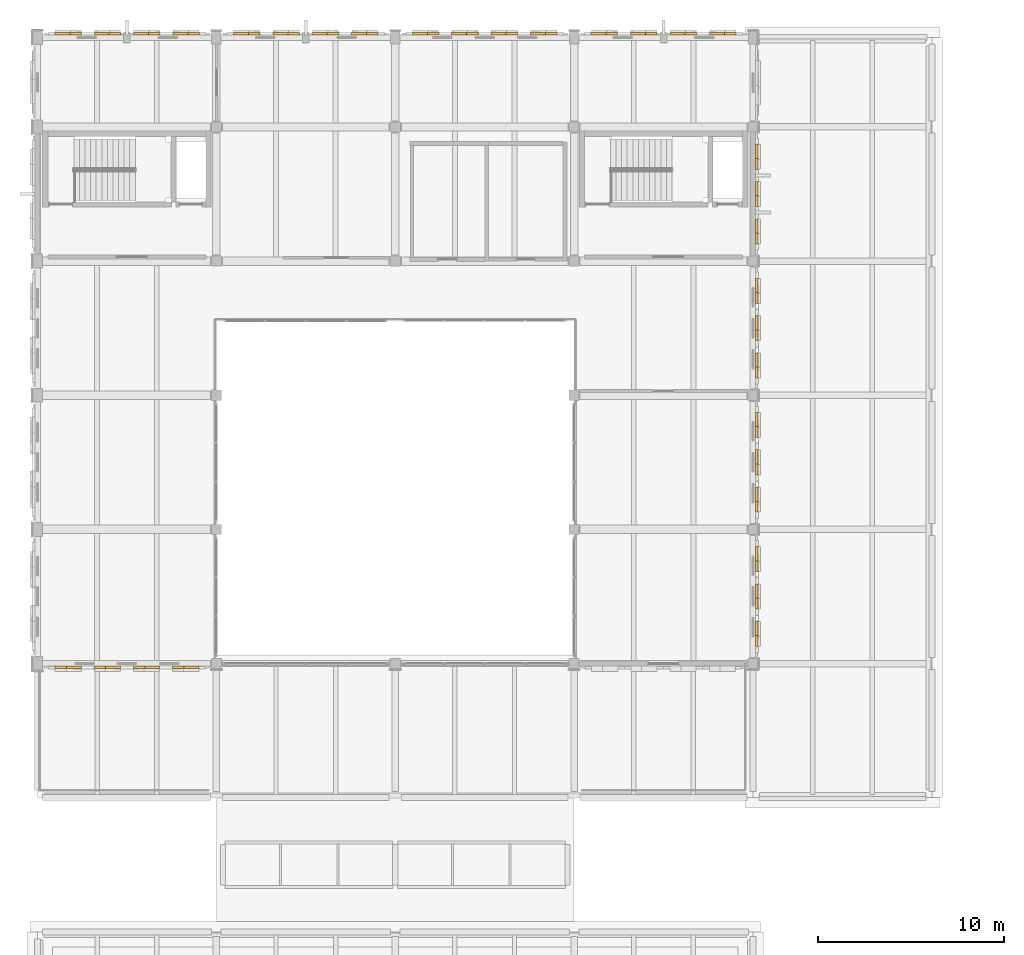
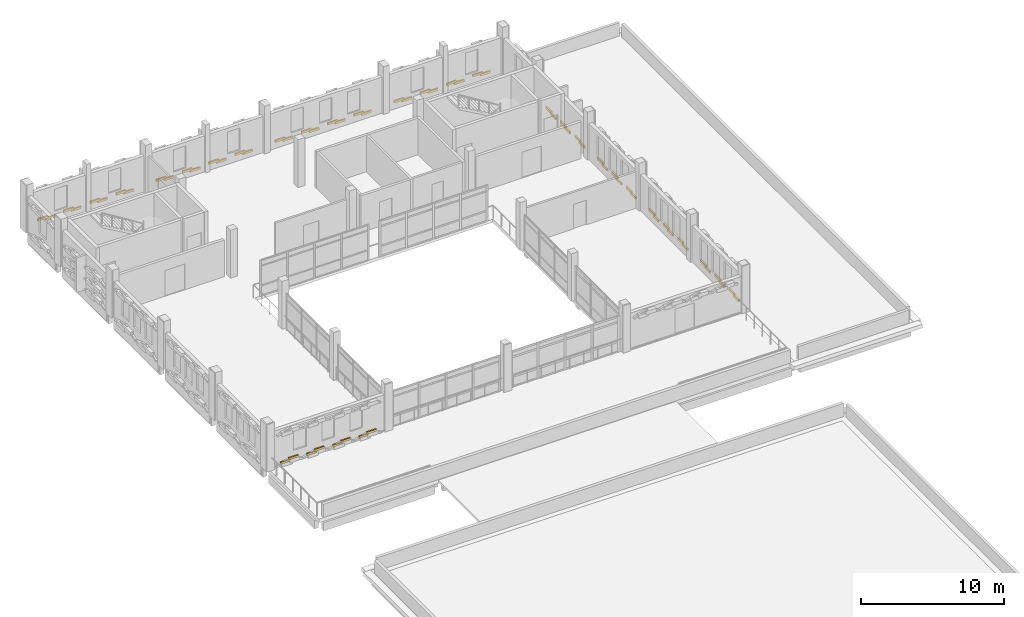
# One storey, part 49 of 50: 64 coverings.
"""IFC4 building model written with IfcOpenShell, lengths in metres."""

from ifc_helpers import new_model, si_unit, direction, frame, origin, origin_2d, place, context, subcontext, project, spatial, rectangle, extrude, material, layer, layer_set, type_object, element, save


model = new_model("IFC4")

# Units and contexts
model_context = context("Model", 3, precision=1e-05, world=origin(), true_north=direction((0.0, 1.0)))
body_context = subcontext(model_context, "Body", "Model", "MODEL_VIEW")
ifc_project = project(units=[si_unit("LENGTHUNIT", "METRE"), si_unit("AREAUNIT", "SQUARE_METRE"), si_unit("VOLUMEUNIT", "CUBIC_METRE"), si_unit("PLANEANGLEUNIT", "RADIAN"), si_unit("MASSUNIT", "GRAM", prefix="KILO")], contexts=[model_context])

# Site, building, storey
site_placement = place(None, origin())
site = spatial("IfcSite", under=ifc_project, at=site_placement, CompositionType="ELEMENT")
building_placement = place(site_placement, origin())
building = spatial("IfcBuilding", under=site, at=building_placement, Name="Asteropetra Specialist Clinic", CompositionType="ELEMENT")
storey_placement = place(building_placement, frame((0.0, 0.0, 16.659912109375)))
storey = spatial("IfcBuildingStorey", under=building, at=storey_placement, Name="L04", CompositionType="ELEMENT", Elevation=16.659912109375)

# Coverings
ifc_material = material(Name="Chevron ivory")
ifc_layer = layer(ifc_material, 0.1201171875)
ifc_layer_set = layer_set([ifc_layer], Name="Chevron ivory")
covering_type = type_object("IfcCoveringType", Name="CLD-TER-IVORY", PredefinedType="CLADDING", material=ifc_layer_set)
for number, where, z_axis, x_axis, name in (
    (1, (1.3369140625, 76.60009765625, 0.1201171875), (0.0, 0.0, 1.0), (1.0, 0.0, 0.0), "Chevron Ceramic Band CV-1570"),
    (2, (1.95556640625, 76.60009765625, 0.26025390625), (0.0, 0.0, 1.0), (1.0, 0.0, 0.0), "Chevron Ceramic Band CV-1571"),
    (3, (3.439453125, 76.60009765625, 0.1201171875), (0.0, 0.0, 1.0), (1.0, 0.0, 0.0), "Chevron Ceramic Band CV-1572"),
    (4, (4.05810546875, 76.60009765625, 0.26025390625), (0.0, 0.0, 1.0), (1.0, 0.0, 0.0), "Chevron Ceramic Band CV-1573"),
    (5, (5.5419921875, 76.60009765625, 0.1201171875), (0.0, 0.0, 1.0), (1.0, 0.0, 0.0), "Chevron Ceramic Band CV-1574"),
    (6, (6.16064453125, 76.60009765625, 0.26025390625), (0.0, 0.0, 1.0), (1.0, 0.0, 0.0), "Chevron Ceramic Band CV-1575"),
    (7, (7.644287109375, 76.60009765625, 0.1201171875), (0.0, 0.0, 1.0), (1.0, 0.0, 0.0), "Chevron Ceramic Band CV-1576"),
    (8, (8.26318359375, 76.60009765625, 0.26025390625), (0.0, 0.0, 1.0), (1.0, 0.0, 0.0), "Chevron Ceramic Band CV-1577"),
):
    element("IfcCovering", number, at=place(storey_placement, frame(where, z_axis=z_axis, x_axis=x_axis)), inside=storey, type_object=covering_type, Name=name, PredefinedType="CLADDING", context=body_context, shape_type="SweptSolid", body=[
        extrude(rectangle(XDim=0.799072265625, YDim=0.1201171875, at=origin_2d()), origin(), (0.0, 0.0, 1.0), 0.199951171875),
    ])
for number, where, z_axis, x_axis, name in (
    (9, (8.285888671875, 110.60009765625, 0.1201171875), (0.0, 0.0, 1.0), (1.0, 0.0, 0.0), "Chevron Ceramic Band CV-1581"),
    (10, (7.665283203125, 110.60009765625, 0.26025390625), (0.0, 0.0, 1.0), (1.0, 0.0, 0.0), "Chevron Ceramic Band CV-1582"),
    (11, (6.17724609375, 110.60009765625, 0.1201171875), (0.0, 0.0, 1.0), (1.0, 0.0, 0.0), "Chevron Ceramic Band CV-1583"),
    (12, (5.556640625, 110.60009765625, 0.26025390625), (0.0, 0.0, 1.0), (1.0, 0.0, 0.0), "Chevron Ceramic Band CV-1584"),
    (13, (4.068359375, 110.60009765625, 0.1201171875), (0.0, 0.0, 1.0), (1.0, 0.0, 0.0), "Chevron Ceramic Band CV-1585"),
    (14, (3.44775390625, 110.60009765625, 0.26025390625), (0.0, 0.0, 1.0), (1.0, 0.0, 0.0), "Chevron Ceramic Band CV-1586"),
    (15, (1.959716796875, 110.60009765625, 0.1201171875), (0.0, 0.0, 1.0), (1.0, 0.0, 0.0), "Chevron Ceramic Band CV-1587"),
    (16, (1.339111328125, 110.60009765625, 0.26025390625), (0.0, 0.0, 1.0), (1.0, 0.0, 0.0), "Chevron Ceramic Band CV-1588"),
):
    element("IfcCovering", number, at=place(storey_placement, frame(where, z_axis=z_axis, x_axis=x_axis)), inside=storey, type_object=covering_type, Name=name, PredefinedType="CLADDING", context=body_context, shape_type="SweptSolid", body=[
        extrude(rectangle(XDim=0.801025390625, YDim=0.1201171875, at=origin_2d()), origin(), (0.0, 0.0, 1.0), 0.199951171875),
    ])
for number, where, z_axis, x_axis, name in (
    (17, (17.8837890625, 110.60009765625, 0.1201171875), (0.0, 0.0, 1.0), (1.0, 0.0, 0.0), "Chevron Ceramic Band CV-1592"),
    (18, (17.26123046875, 110.60009765625, 0.26025390625), (0.0, 0.0, 1.0), (1.0, 0.0, 0.0), "Chevron Ceramic Band CV-1593"),
    (19, (15.768798828125, 110.60009765625, 0.1201171875), (0.0, 0.0, 1.0), (1.0, 0.0, 0.0), "Chevron Ceramic Band CV-1594"),
    (20, (15.146240234375, 110.60009765625, 0.26025390625), (0.0, 0.0, 1.0), (1.0, 0.0, 0.0), "Chevron Ceramic Band CV-1595"),
    (21, (13.65380859375, 110.60009765625, 0.1201171875), (0.0, 0.0, 1.0), (1.0, 0.0, 0.0), "Chevron Ceramic Band CV-1596"),
    (22, (13.03125, 110.60009765625, 0.26025390625), (0.0, 0.0, 1.0), (1.0, 0.0, 0.0), "Chevron Ceramic Band CV-1597"),
    (23, (11.538818359375, 110.60009765625, 0.1201171875), (0.0, 0.0, 1.0), (1.0, 0.0, 0.0), "Chevron Ceramic Band CV-1598"),
    (24, (10.916259765625, 110.60009765625, 0.26025390625), (0.0, 0.0, 1.0), (1.0, 0.0, 0.0), "Chevron Ceramic Band CV-1599"),
    (25, (27.48388671875, 110.60009765625, 0.1201171875), (0.0, 0.0, 1.0), (1.0, 0.0, 0.0), "Chevron Ceramic Band CV-1604"),
    (26, (26.861328125, 110.60009765625, 0.26025390625), (0.0, 0.0, 1.0), (1.0, 0.0, 0.0), "Chevron Ceramic Band CV-1605"),
    (27, (25.368896484375, 110.60009765625, 0.1201171875), (0.0, 0.0, 1.0), (1.0, 0.0, 0.0), "Chevron Ceramic Band CV-1606"),
    (28, (24.74609375, 110.60009765625, 0.26025390625), (0.0, 0.0, 1.0), (1.0, 0.0, 0.0), "Chevron Ceramic Band CV-1607"),
    (29, (23.25390625, 110.60009765625, 0.1201171875), (0.0, 0.0, 1.0), (1.0, 0.0, 0.0), "Chevron Ceramic Band CV-1608"),
    (30, (22.63134765625, 110.60009765625, 0.26025390625), (0.0, 0.0, 1.0), (1.0, 0.0, 0.0), "Chevron Ceramic Band CV-1609"),
    (31, (21.138916015625, 110.60009765625, 0.1201171875), (0.0, 0.0, 1.0), (1.0, 0.0, 0.0), "Chevron Ceramic Band CV-1610"),
    (32, (20.51611328125, 110.60009765625, 0.26025390625), (0.0, 0.0, 1.0), (1.0, 0.0, 0.0), "Chevron Ceramic Band CV-1611"),
    (33, (37.083740234375, 110.60009765625, 0.1201171875), (0.0, 0.0, 1.0), (1.0, 0.0, 0.0), "Chevron Ceramic Band CV-1616"),
    (34, (36.461181640625, 110.60009765625, 0.26025390625), (0.0, 0.0, 1.0), (1.0, 0.0, 0.0), "Chevron Ceramic Band CV-1617"),
    (35, (34.96875, 110.60009765625, 0.1201171875), (0.0, 0.0, 1.0), (1.0, 0.0, 0.0), "Chevron Ceramic Band CV-1618"),
    (36, (34.34619140625, 110.60009765625, 0.26025390625), (0.0, 0.0, 1.0), (1.0, 0.0, 0.0), "Chevron Ceramic Band CV-1619"),
    (37, (32.853759765625, 110.60009765625, 0.1201171875), (0.0, 0.0, 1.0), (1.0, 0.0, 0.0), "Chevron Ceramic Band CV-1620"),
    (38, (32.231201171875, 110.60009765625, 0.26025390625), (0.0, 0.0, 1.0), (1.0, 0.0, 0.0), "Chevron Ceramic Band CV-1621"),
    (39, (30.73876953125, 110.60009765625, 0.1201171875), (0.0, 0.0, 1.0), (1.0, 0.0, 0.0), "Chevron Ceramic Band CV-1622"),
    (40, (30.1162109375, 110.60009765625, 0.26025390625), (0.0, 0.0, 1.0), (1.0, 0.0, 0.0), "Chevron Ceramic Band CV-1623"),
):
    element("IfcCovering", number, at=place(storey_placement, frame(where, z_axis=z_axis, x_axis=x_axis)), inside=storey, type_object=covering_type, Name=name, PredefinedType="CLADDING", context=body_context, shape_type="SweptSolid", body=[
        extrude(rectangle(XDim=0.803955078125, YDim=0.1201171875, at=origin_2d()), origin(), (0.0, 0.0, 1.0), 0.199951171875),
    ])
for number, where, z_axis, x_axis, name in (
    (41, (38.60009765625, 78.102294921875, 0.1201171875), (0.0, 0.0, 1.0), (1.0, 0.0, 0.0), "Chevron Ceramic Band CV-1636"),
    (42, (38.60009765625, 78.691162109375, 0.26025390625), (0.0, 0.0, 1.0), (1.0, 0.0, 0.0), "Chevron Ceramic Band CV-1637"),
    (43, (38.60009765625, 80.10546875, 0.1201171875), (0.0, 0.0, 1.0), (1.0, 0.0, 0.0), "Chevron Ceramic Band CV-1638"),
    (44, (38.60009765625, 80.694580078125, 0.26025390625), (0.0, 0.0, 1.0), (1.0, 0.0, 0.0), "Chevron Ceramic Band CV-1639"),
    (45, (38.60009765625, 82.10888671875, 0.1201171875), (0.0, 0.0, 1.0), (1.0, 0.0, 0.0), "Chevron Ceramic Band CV-1640"),
    (46, (38.60009765625, 82.69775390625, 0.26025390625), (0.0, 0.0, 1.0), (1.0, 0.0, 0.0), "Chevron Ceramic Band CV-1641"),
    (47, (38.60009765625, 85.30224609375, 0.1201171875), (0.0, 0.0, 1.0), (1.0, 0.0, 0.0), "Chevron Ceramic Band CV-1654"),
    (48, (38.60009765625, 85.89111328125, 0.26025390625), (0.0, 0.0, 1.0), (1.0, 0.0, 0.0), "Chevron Ceramic Band CV-1655"),
    (49, (38.60009765625, 87.305419921875, 0.1201171875), (0.0, 0.0, 1.0), (1.0, 0.0, 0.0), "Chevron Ceramic Band CV-1656"),
    (50, (38.60009765625, 87.89453125, 0.26025390625), (0.0, 0.0, 1.0), (1.0, 0.0, 0.0), "Chevron Ceramic Band CV-1657"),
    (51, (38.60009765625, 89.308837890625, 0.1201171875), (0.0, 0.0, 1.0), (1.0, 0.0, 0.0), "Chevron Ceramic Band CV-1658"),
    (52, (38.60009765625, 89.897705078125, 0.26025390625), (0.0, 0.0, 1.0), (1.0, 0.0, 0.0), "Chevron Ceramic Band CV-1659"),
    (53, (38.60009765625, 92.502197265625, 0.1201171875), (0.0, 0.0, 1.0), (1.0, 0.0, 0.0), "Chevron Ceramic Band CV-1672"),
    (54, (38.60009765625, 93.09130859375, 0.26025390625), (0.0, 0.0, 1.0), (1.0, 0.0, 0.0), "Chevron Ceramic Band CV-1673"),
    (55, (38.60009765625, 94.505615234375, 0.1201171875), (0.0, 0.0, 1.0), (1.0, 0.0, 0.0), "Chevron Ceramic Band CV-1674"),
    (56, (38.60009765625, 95.094482421875, 0.26025390625), (0.0, 0.0, 1.0), (1.0, 0.0, 0.0), "Chevron Ceramic Band CV-1675"),
    (57, (38.60009765625, 96.5087890625, 0.1201171875), (0.0, 0.0, 1.0), (1.0, 0.0, 0.0), "Chevron Ceramic Band CV-1676"),
    (58, (38.60009765625, 97.097900390625, 0.26025390625), (0.0, 0.0, 1.0), (1.0, 0.0, 0.0), "Chevron Ceramic Band CV-1677"),
    (59, (38.60009765625, 99.7021484375, 0.1201171875), (0.0, 0.0, 1.0), (1.0, 0.0, 0.0), "Chevron Ceramic Band CV-1684"),
    (60, (38.60009765625, 100.291259765625, 0.26025390625), (0.0, 0.0, 1.0), (1.0, 0.0, 0.0), "Chevron Ceramic Band CV-1685"),
    (61, (38.60009765625, 101.70556640625, 0.1201171875), (0.0, 0.0, 1.0), (1.0, 0.0, 0.0), "Chevron Ceramic Band CV-1686"),
    (62, (38.60009765625, 102.29443359375, 0.26025390625), (0.0, 0.0, 1.0), (1.0, 0.0, 0.0), "Chevron Ceramic Band CV-1687"),
    (63, (38.60009765625, 103.708740234375, 0.1201171875), (0.0, 0.0, 1.0), (1.0, 0.0, 0.0), "Chevron Ceramic Band CV-1688"),
    (64, (38.60009765625, 104.2978515625, 0.26025390625), (0.0, 0.0, 1.0), (1.0, 0.0, 0.0), "Chevron Ceramic Band CV-1689"),
):
    element("IfcCovering", number, at=place(storey_placement, frame(where, z_axis=z_axis, x_axis=x_axis)), inside=storey, type_object=covering_type, Name=name, PredefinedType="CLADDING", context=body_context, shape_type="SweptSolid", body=[
        extrude(rectangle(XDim=0.1201171875, YDim=0.760986328125, at=origin_2d()), origin(), (0.0, 0.0, 1.0), 0.199951171875),
    ])

save(model, "model.ifc")
